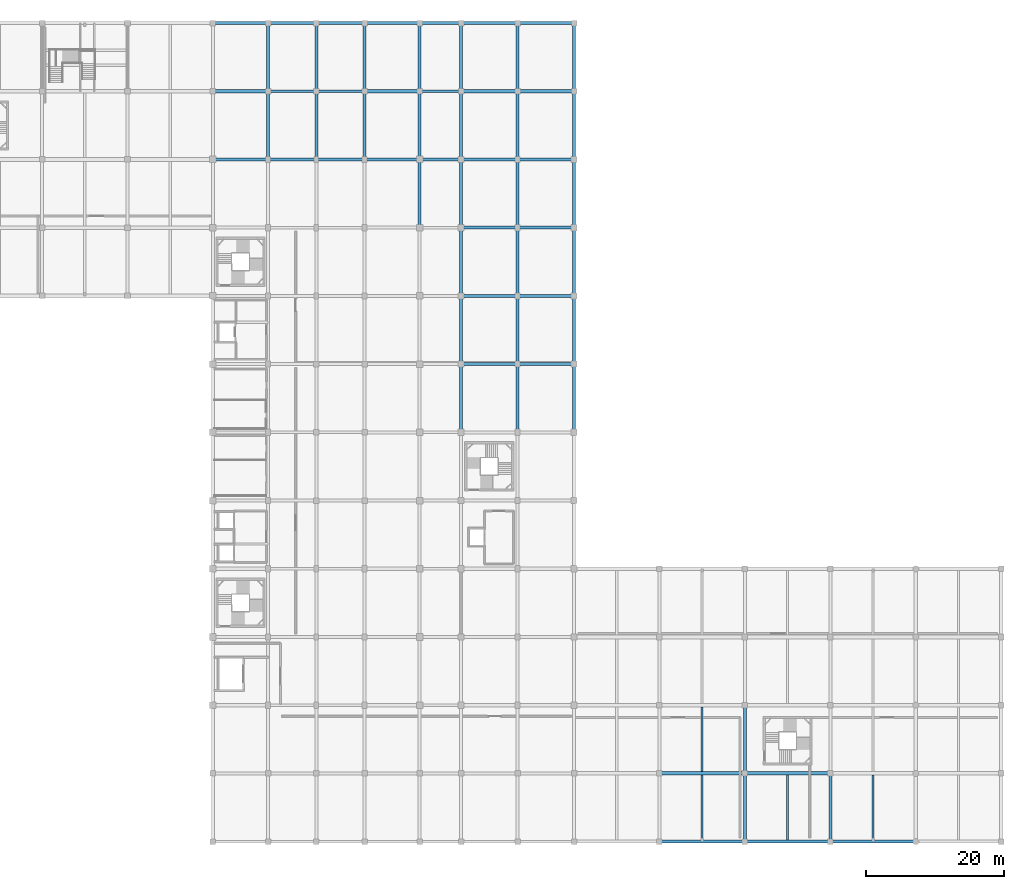
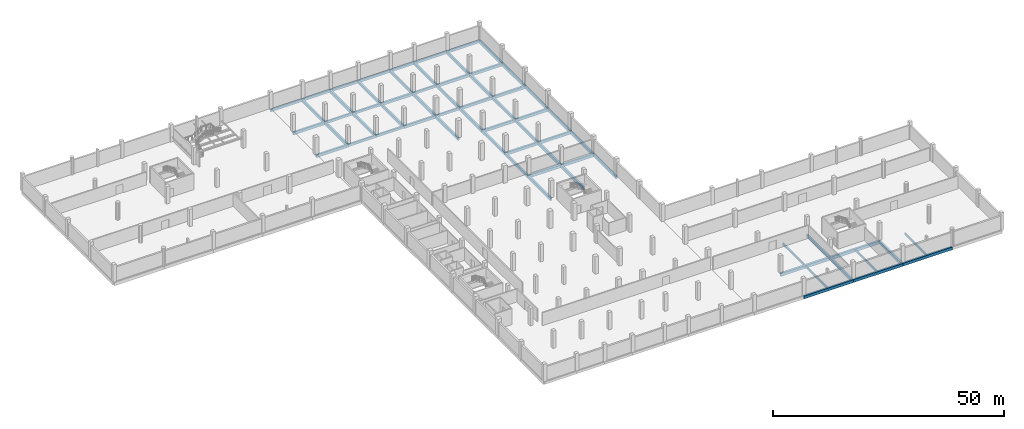
# One storey, part 6 of 32: 66 beams.
"""IFC4 building model written with IfcOpenShell, lengths in metres."""

from ifc_helpers import new_model, si_unit, direction, frame, origin, origin_2d, place, context, subcontext, project, spatial, rectangle, extrude, material, material_profile, profile_set, type_object, element, save


model = new_model("IFC4")

# Units and contexts
model_context = context("Model", 3, precision=1e-05, world=origin(), true_north=direction((0.0, 1.0)))
body_context = subcontext(model_context, "Body", "Model", "MODEL_VIEW")
ifc_project = project(units=[si_unit("LENGTHUNIT", "METRE"), si_unit("AREAUNIT", "SQUARE_METRE"), si_unit("VOLUMEUNIT", "CUBIC_METRE"), si_unit("PLANEANGLEUNIT", "RADIAN"), si_unit("MASSUNIT", "GRAM", prefix="KILO")], contexts=[model_context])

# Site, building, storey
site_placement = place(None, origin())
site = spatial("IfcSite", under=ifc_project, at=site_placement, CompositionType="ELEMENT")
building_placement = place(site_placement, origin())
building = spatial("IfcBuilding", under=site, at=building_placement, Name="Sillaruma Civic Art Gallery", CompositionType="ELEMENT")
storey_placement = place(building_placement, frame((0.0, 0.0, -4.590087890625)))
storey = spatial("IfcBuildingStorey", under=building, at=storey_placement, Name="B01", CompositionType="ELEMENT", Elevation=-4.590087890625)

# Beams
ifc_material_1 = material(Name="Concrete H35 (35 MPa)", Category="concrete")
ifc_material_profile_1 = material_profile(ifc_material_1, rectangle(XDim=0.39990234375, YDim=0.64990234375, at=origin_2d()), Name="RCB400x650")
ifc_profile_set_1 = profile_set([ifc_material_profile_1], Name="Concrete H35 (35 MPa)")
beam_type_1 = type_object("IfcBeamType", Name="BM-BEAM-RCB400x650", PredefinedType="BEAM", material=ifc_profile_set_1)
for number, where, z_axis, x_axis, name in (
    (1, (70.0, 99.0, -0.60498046875), (1.0, 0.0, 0.0), (0.0, 1.0, 0.0), "Beam BM-05 (B02:11:G-H)"),
    (2, (77.0, 99.0, -0.60498046875), (1.0, 0.0, 0.0), (0.0, 1.0, 0.0), "Beam BM-05 (B02:11:H-J)"),
):
    element("IfcBeam", number, at=place(storey_placement, frame(where, z_axis=z_axis, x_axis=x_axis)), inside=storey, type_object=beam_type_1, Name=name, PredefinedType="BEAM", context=body_context, shape_type="SweptSolid", body=[
        extrude(rectangle(XDim=0.39990234375, YDim=0.64990234375, at=origin_2d()), origin(), (0.0, 0.0, 1.0), 7.0),
    ])
beam_1_placement = place(storey_placement, frame((92.0, 99.0, -0.60498046875), z_axis=(1.0, 0.0, 0.0), x_axis=(0.0, 1.0, 0.0)))
element("IfcBeam", 3, at=beam_1_placement, inside=storey, type_object=beam_type_1, Name="Beam BM-05 (B02:11:K-L)", PredefinedType="BEAM", context=body_context, shape_type="SweptSolid", body=[
    extrude(rectangle(XDim=0.39990234375, YDim=0.64990234375, at=origin_2d()), origin(), (0.0, 0.0, 1.0), 6.0),
])
for number, where, z_axis, x_axis, name in (
    (4, (70.0, 108.89990234375, -0.60498046875), (1.0, 0.0, 0.0), (0.0, 1.0, 0.0), "Beam BM-05 (B02:12:G-H)"),
    (5, (77.0, 108.89990234375, -0.60498046875), (1.0, 0.0, 0.0), (0.0, 1.0, 0.0), "Beam BM-05 (B02:12:H-J)"),
):
    element("IfcBeam", number, at=place(storey_placement, frame(where, z_axis=z_axis, x_axis=x_axis)), inside=storey, type_object=beam_type_1, Name=name, PredefinedType="BEAM", context=body_context, shape_type="SweptSolid", body=[
        extrude(rectangle(XDim=0.39990234375, YDim=0.64990234375, at=origin_2d()), origin(), (0.0, 0.0, 1.0), 7.0),
    ])
beam_2_placement = place(storey_placement, frame((92.0, 108.89990234375, -0.60498046875), z_axis=(1.0, 0.0, 0.0), x_axis=(0.0, 1.0, 0.0)))
element("IfcBeam", 6, at=beam_2_placement, inside=storey, type_object=beam_type_1, Name="Beam BM-05 (B02:12:K-L)", PredefinedType="BEAM", context=body_context, shape_type="SweptSolid", body=[
    extrude(rectangle(XDim=0.39990234375, YDim=0.64990234375, at=origin_2d()), origin(), (0.0, 0.0, 1.0), 6.0),
])
ifc_material_2 = material(Name="Concrete H40 (40 MPa)", Category="concrete")
ifc_material_profile_2 = material_profile(ifc_material_2, rectangle(XDim=0.449951171875, YDim=0.75, at=origin_2d()), Name="RCB450x750")
ifc_profile_set_2 = profile_set([ifc_material_profile_2], Name="Concrete H40 (40 MPa)")
beam_type_2 = type_object("IfcBeamType", Name="BM-BEAM-RCB450x750", PredefinedType="BEAM", material=ifc_profile_set_2)
for number, where, z_axis, x_axis, name in (
    (7, (98.0, 69.300048828125, -0.655029296875), (1.0, 0.0, 0.0), (0.0, 1.0, 0.0), "Beam BM-03 (B02:8:L-M)"),
    (8, (106.199951171875, 69.300048828125, -0.655029296875), (1.0, 0.0, 0.0), (0.0, 1.0, 0.0), "Beam BM-03 (B02:8:M-N)"),
    (9, (98.0, 79.199951171875, -0.655029296875), (1.0, 0.0, 0.0), (0.0, 1.0, 0.0), "Beam BM-03 (B02:9:L-M)"),
    (10, (106.199951171875, 79.199951171875, -0.655029296875), (1.0, 0.0, 0.0), (0.0, 1.0, 0.0), "Beam BM-03 (B02:9:M-N)"),
    (11, (98.0, 89.10009765625, -0.655029296875), (1.0, 0.0, 0.0), (0.0, 1.0, 0.0), "Beam BM-03 (B02:10:L-M)"),
    (12, (106.199951171875, 89.10009765625, -0.655029296875), (1.0, 0.0, 0.0), (0.0, 1.0, 0.0), "Beam BM-03 (B02:10:M-N)"),
):
    element("IfcBeam", number, at=place(storey_placement, frame(where, z_axis=z_axis, x_axis=x_axis)), inside=storey, type_object=beam_type_2, Name=name, PredefinedType="BEAM", context=body_context, shape_type="SweptSolid", body=[
        extrude(rectangle(XDim=0.449951171875, YDim=0.75, at=origin_2d()), origin(), (0.0, 0.0, 1.0), 8.199951171875),
    ])
for number, where, z_axis, x_axis, name in (
    (13, (62.0, 99.0, -0.655029296875), (1.0, 0.0, 0.0), (0.0, 1.0, 0.0), "Beam BM-03 (B02:11:F-G)"),
    (14, (84.0, 99.0, -0.655029296875), (1.0, 0.0, 0.0), (0.0, 1.0, 0.0), "Beam BM-03 (B02:11:J-K)"),
):
    element("IfcBeam", number, at=place(storey_placement, frame(where, z_axis=z_axis, x_axis=x_axis)), inside=storey, type_object=beam_type_2, Name=name, PredefinedType="BEAM", context=body_context, shape_type="SweptSolid", body=[
        extrude(rectangle(XDim=0.449951171875, YDim=0.75, at=origin_2d()), origin(), (0.0, 0.0, 1.0), 8.0),
    ])
for number, where, z_axis, x_axis, name in (
    (15, (98.0, 99.0, -0.655029296875), (1.0, 0.0, 0.0), (0.0, 1.0, 0.0), "Beam BM-03 (B02:11:L-M)"),
    (16, (106.199951171875, 99.0, -0.655029296875), (1.0, 0.0, 0.0), (0.0, 1.0, 0.0), "Beam BM-03 (B02:11:M-N)"),
):
    element("IfcBeam", number, at=place(storey_placement, frame(where, z_axis=z_axis, x_axis=x_axis)), inside=storey, type_object=beam_type_2, Name=name, PredefinedType="BEAM", context=body_context, shape_type="SweptSolid", body=[
        extrude(rectangle(XDim=0.449951171875, YDim=0.75, at=origin_2d()), origin(), (0.0, 0.0, 1.0), 8.199951171875),
    ])
for number, where, z_axis, x_axis, name in (
    (17, (62.0, 108.89990234375, -0.655029296875), (1.0, 0.0, 0.0), (0.0, 1.0, 0.0), "Beam BM-03 (B02:12:F-G)"),
    (18, (84.0, 108.89990234375, -0.655029296875), (1.0, 0.0, 0.0), (0.0, 1.0, 0.0), "Beam BM-03 (B02:12:J-K)"),
):
    element("IfcBeam", number, at=place(storey_placement, frame(where, z_axis=z_axis, x_axis=x_axis)), inside=storey, type_object=beam_type_2, Name=name, PredefinedType="BEAM", context=body_context, shape_type="SweptSolid", body=[
        extrude(rectangle(XDim=0.449951171875, YDim=0.75, at=origin_2d()), origin(), (0.0, 0.0, 1.0), 8.0),
    ])
for number, where, z_axis, x_axis, name in (
    (19, (98.0, 108.89990234375, -0.655029296875), (1.0, 0.0, 0.0), (0.0, 1.0, 0.0), "Beam BM-03 (B02:12:L-M)"),
    (20, (106.199951171875, 108.89990234375, -0.655029296875), (1.0, 0.0, 0.0), (0.0, 1.0, 0.0), "Beam BM-03 (B02:12:M-N)"),
):
    element("IfcBeam", number, at=place(storey_placement, frame(where, z_axis=z_axis, x_axis=x_axis)), inside=storey, type_object=beam_type_2, Name=name, PredefinedType="BEAM", context=body_context, shape_type="SweptSolid", body=[
        extrude(rectangle(XDim=0.449951171875, YDim=0.75, at=origin_2d()), origin(), (0.0, 0.0, 1.0), 8.199951171875),
    ])
beam_3_placement = place(storey_placement, frame((70.0, 99.0, -0.655029296875), z_axis=(0.0, 1.0, 0.0), x_axis=(-1.0, 0.0, 0.0)))
element("IfcBeam", 21, at=beam_3_placement, inside=storey, type_object=beam_type_2, Name="Beam BM-03 (B02:G:11-12)", PredefinedType="BEAM", context=body_context, shape_type="SweptSolid", body=[
    extrude(rectangle(XDim=0.449951171875, YDim=0.75, at=origin_2d()), origin(), (0.0, 0.0, 1.0), 9.89990234375),
])
beam_4_placement = place(storey_placement, frame((70.0, 108.89990234375, -0.655029296875), z_axis=(0.0, 1.0, 0.0), x_axis=(-1.0, 0.0, 0.0)))
element("IfcBeam", 22, at=beam_4_placement, inside=storey, type_object=beam_type_2, Name="Beam BM-03 (B02:G:12-13)", PredefinedType="BEAM", context=body_context, shape_type="SweptSolid", body=[
    extrude(rectangle(XDim=0.449951171875, YDim=0.75, at=origin_2d()), origin(), (0.0, 0.0, 1.0), 9.900146484375),
])
beam_5_placement = place(storey_placement, frame((77.0, 99.0, -0.655029296875), z_axis=(0.0, 1.0, 0.0), x_axis=(-1.0, 0.0, 0.0)))
element("IfcBeam", 23, at=beam_5_placement, inside=storey, type_object=beam_type_2, Name="Beam BM-03 (B02:H:11-12)", PredefinedType="BEAM", context=body_context, shape_type="SweptSolid", body=[
    extrude(rectangle(XDim=0.449951171875, YDim=0.75, at=origin_2d()), origin(), (0.0, 0.0, 1.0), 9.89990234375),
])
beam_6_placement = place(storey_placement, frame((77.0, 108.89990234375, -0.655029296875), z_axis=(0.0, 1.0, 0.0), x_axis=(-1.0, 0.0, 0.0)))
element("IfcBeam", 24, at=beam_6_placement, inside=storey, type_object=beam_type_2, Name="Beam BM-03 (B02:H:12-13)", PredefinedType="BEAM", context=body_context, shape_type="SweptSolid", body=[
    extrude(rectangle(XDim=0.449951171875, YDim=0.75, at=origin_2d()), origin(), (0.0, 0.0, 1.0), 9.900146484375),
])
beam_7_placement = place(storey_placement, frame((84.0, 99.0, -0.655029296875), z_axis=(0.0, 1.0, 0.0), x_axis=(-1.0, 0.0, 0.0)))
element("IfcBeam", 25, at=beam_7_placement, inside=storey, type_object=beam_type_2, Name="Beam BM-03 (B02:J:11-12)", PredefinedType="BEAM", context=body_context, shape_type="SweptSolid", body=[
    extrude(rectangle(XDim=0.449951171875, YDim=0.75, at=origin_2d()), origin(), (0.0, 0.0, 1.0), 9.89990234375),
])
beam_8_placement = place(storey_placement, frame((84.0, 108.89990234375, -0.655029296875), z_axis=(0.0, 1.0, 0.0), x_axis=(-1.0, 0.0, 0.0)))
element("IfcBeam", 26, at=beam_8_placement, inside=storey, type_object=beam_type_2, Name="Beam BM-03 (B02:J:12-13)", PredefinedType="BEAM", context=body_context, shape_type="SweptSolid", body=[
    extrude(rectangle(XDim=0.449951171875, YDim=0.75, at=origin_2d()), origin(), (0.0, 0.0, 1.0), 9.900146484375),
])
for number, where, z_axis, x_axis, name in (
    (27, (92.0, 89.10009765625, -0.655029296875), (0.0, 1.0, 0.0), (-1.0, 0.0, 0.0), "Beam BM-03 (B02:K:10-11)"),
    (28, (92.0, 99.0, -0.655029296875), (0.0, 1.0, 0.0), (-1.0, 0.0, 0.0), "Beam BM-03 (B02:K:11-12)"),
):
    element("IfcBeam", number, at=place(storey_placement, frame(where, z_axis=z_axis, x_axis=x_axis)), inside=storey, type_object=beam_type_2, Name=name, PredefinedType="BEAM", context=body_context, shape_type="SweptSolid", body=[
        extrude(rectangle(XDim=0.449951171875, YDim=0.75, at=origin_2d()), origin(), (0.0, 0.0, 1.0), 9.89990234375),
    ])
for number, where, z_axis, x_axis, name in (
    (29, (92.0, 108.89990234375, -0.655029296875), (0.0, 1.0, 0.0), (-1.0, 0.0, 0.0), "Beam BM-03 (B02:K:12-13)"),
    (30, (98.0, 59.39990234375, -0.655029296875), (0.0, 1.0, 0.0), (-1.0, 0.0, 0.0), "Beam BM-03 (B02:L:7-8)"),
):
    element("IfcBeam", number, at=place(storey_placement, frame(where, z_axis=z_axis, x_axis=x_axis)), inside=storey, type_object=beam_type_2, Name=name, PredefinedType="BEAM", context=body_context, shape_type="SweptSolid", body=[
        extrude(rectangle(XDim=0.449951171875, YDim=0.75, at=origin_2d()), origin(), (0.0, 0.0, 1.0), 9.900146484375),
    ])
beam_9_placement = place(storey_placement, frame((98.0, 69.300048828125, -0.655029296875), z_axis=(0.0, 1.0, 0.0), x_axis=(-1.0, 0.0, 0.0)))
element("IfcBeam", 31, at=beam_9_placement, inside=storey, type_object=beam_type_2, Name="Beam BM-03 (B02:L:8-9)", PredefinedType="BEAM", context=body_context, shape_type="SweptSolid", body=[
    extrude(rectangle(XDim=0.449951171875, YDim=0.75, at=origin_2d()), origin(), (0.0, 0.0, 1.0), 9.89990234375),
])
beam_10_placement = place(storey_placement, frame((98.0, 79.199951171875, -0.655029296875), z_axis=(0.0, 1.0, 0.0), x_axis=(-1.0, 0.0, 0.0)))
element("IfcBeam", 32, at=beam_10_placement, inside=storey, type_object=beam_type_2, Name="Beam BM-03 (B02:L:9-10)", PredefinedType="BEAM", context=body_context, shape_type="SweptSolid", body=[
    extrude(rectangle(XDim=0.449951171875, YDim=0.75, at=origin_2d()), origin(), (0.0, 0.0, 1.0), 9.900146484375),
])
for number, where, z_axis, x_axis, name in (
    (33, (98.0, 89.10009765625, -0.655029296875), (0.0, 1.0, 0.0), (-1.0, 0.0, 0.0), "Beam BM-03 (B02:L:10-11)"),
    (34, (98.0, 99.0, -0.655029296875), (0.0, 1.0, 0.0), (-1.0, 0.0, 0.0), "Beam BM-03 (B02:L:11-12)"),
):
    element("IfcBeam", number, at=place(storey_placement, frame(where, z_axis=z_axis, x_axis=x_axis)), inside=storey, type_object=beam_type_2, Name=name, PredefinedType="BEAM", context=body_context, shape_type="SweptSolid", body=[
        extrude(rectangle(XDim=0.449951171875, YDim=0.75, at=origin_2d()), origin(), (0.0, 0.0, 1.0), 9.89990234375),
    ])
for number, where, z_axis, x_axis, name in (
    (35, (98.0, 108.89990234375, -0.655029296875), (0.0, 1.0, 0.0), (-1.0, 0.0, 0.0), "Beam BM-03 (B02:L:12-13)"),
    (36, (106.199951171875, 59.39990234375, -0.655029296875), (0.0, 1.0, 0.0), (-1.0, 0.0, 0.0), "Beam BM-03 (B02:M:7-8)"),
):
    element("IfcBeam", number, at=place(storey_placement, frame(where, z_axis=z_axis, x_axis=x_axis)), inside=storey, type_object=beam_type_2, Name=name, PredefinedType="BEAM", context=body_context, shape_type="SweptSolid", body=[
        extrude(rectangle(XDim=0.449951171875, YDim=0.75, at=origin_2d()), origin(), (0.0, 0.0, 1.0), 9.900146484375),
    ])
beam_11_placement = place(storey_placement, frame((106.199951171875, 69.300048828125, -0.655029296875), z_axis=(0.0, 1.0, 0.0), x_axis=(-1.0, 0.0, 0.0)))
element("IfcBeam", 37, at=beam_11_placement, inside=storey, type_object=beam_type_2, Name="Beam BM-03 (B02:M:8-9)", PredefinedType="BEAM", context=body_context, shape_type="SweptSolid", body=[
    extrude(rectangle(XDim=0.449951171875, YDim=0.75, at=origin_2d()), origin(), (0.0, 0.0, 1.0), 9.89990234375),
])
beam_12_placement = place(storey_placement, frame((106.199951171875, 79.199951171875, -0.655029296875), z_axis=(0.0, 1.0, 0.0), x_axis=(-1.0, 0.0, 0.0)))
element("IfcBeam", 38, at=beam_12_placement, inside=storey, type_object=beam_type_2, Name="Beam BM-03 (B02:M:9-10)", PredefinedType="BEAM", context=body_context, shape_type="SweptSolid", body=[
    extrude(rectangle(XDim=0.449951171875, YDim=0.75, at=origin_2d()), origin(), (0.0, 0.0, 1.0), 9.900146484375),
])
for number, where, z_axis, x_axis, name in (
    (39, (106.199951171875, 89.10009765625, -0.655029296875), (0.0, 1.0, 0.0), (-1.0, 0.0, 0.0), "Beam BM-03 (B02:M:10-11)"),
    (40, (106.199951171875, 99.0, -0.655029296875), (0.0, 1.0, 0.0), (-1.0, 0.0, 0.0), "Beam BM-03 (B02:M:11-12)"),
):
    element("IfcBeam", number, at=place(storey_placement, frame(where, z_axis=z_axis, x_axis=x_axis)), inside=storey, type_object=beam_type_2, Name=name, PredefinedType="BEAM", context=body_context, shape_type="SweptSolid", body=[
        extrude(rectangle(XDim=0.449951171875, YDim=0.75, at=origin_2d()), origin(), (0.0, 0.0, 1.0), 9.89990234375),
    ])
for number, where, z_axis, x_axis, name in (
    (41, (106.199951171875, 108.89990234375, -0.655029296875), (0.0, 1.0, 0.0), (-1.0, 0.0, 0.0), "Beam BM-03 (B02:M:12-13)"),
    (42, (114.39990234375, 59.39990234375, -0.655029296875), (0.0, 1.0, 0.0), (-1.0, 0.0, 0.0), "Beam BM-03 (B02:N:7-8)"),
):
    element("IfcBeam", number, at=place(storey_placement, frame(where, z_axis=z_axis, x_axis=x_axis)), inside=storey, type_object=beam_type_2, Name=name, PredefinedType="BEAM", context=body_context, shape_type="SweptSolid", body=[
        extrude(rectangle(XDim=0.449951171875, YDim=0.75, at=origin_2d()), origin(), (0.0, 0.0, 1.0), 9.900146484375),
    ])
beam_13_placement = place(storey_placement, frame((114.39990234375, 69.300048828125, -0.655029296875), z_axis=(0.0, 1.0, 0.0), x_axis=(-1.0, 0.0, 0.0)))
element("IfcBeam", 43, at=beam_13_placement, inside=storey, type_object=beam_type_2, Name="Beam BM-03 (B02:N:8-9)", PredefinedType="BEAM", context=body_context, shape_type="SweptSolid", body=[
    extrude(rectangle(XDim=0.449951171875, YDim=0.75, at=origin_2d()), origin(), (0.0, 0.0, 1.0), 9.89990234375),
])
beam_14_placement = place(storey_placement, frame((114.39990234375, 79.199951171875, -0.655029296875), z_axis=(0.0, 1.0, 0.0), x_axis=(-1.0, 0.0, 0.0)))
element("IfcBeam", 44, at=beam_14_placement, inside=storey, type_object=beam_type_2, Name="Beam BM-03 (B02:N:9-10)", PredefinedType="BEAM", context=body_context, shape_type="SweptSolid", body=[
    extrude(rectangle(XDim=0.449951171875, YDim=0.75, at=origin_2d()), origin(), (0.0, 0.0, 1.0), 9.900146484375),
])
for number, where, z_axis, x_axis, name in (
    (45, (114.39990234375, 89.10009765625, -0.655029296875), (0.0, 1.0, 0.0), (-1.0, 0.0, 0.0), "Beam BM-03 (B02:N:10-11)"),
    (46, (114.39990234375, 99.0, -0.655029296875), (0.0, 1.0, 0.0), (-1.0, 0.0, 0.0), "Beam BM-03 (B02:N:11-12)"),
):
    element("IfcBeam", number, at=place(storey_placement, frame(where, z_axis=z_axis, x_axis=x_axis)), inside=storey, type_object=beam_type_2, Name=name, PredefinedType="BEAM", context=body_context, shape_type="SweptSolid", body=[
        extrude(rectangle(XDim=0.449951171875, YDim=0.75, at=origin_2d()), origin(), (0.0, 0.0, 1.0), 9.89990234375),
    ])
beam_15_placement = place(storey_placement, frame((114.39990234375, 108.89990234375, -0.655029296875), z_axis=(0.0, 1.0, 0.0), x_axis=(-1.0, 0.0, 0.0)))
element("IfcBeam", 47, at=beam_15_placement, inside=storey, type_object=beam_type_2, Name="Beam BM-03 (B02:N:12-13)", PredefinedType="BEAM", context=body_context, shape_type="SweptSolid", body=[
    extrude(rectangle(XDim=0.449951171875, YDim=0.75, at=origin_2d()), origin(), (0.0, 0.0, 1.0), 9.900146484375),
])
beam_16_placement = place(storey_placement, frame((139.199951171875, 0.0, -0.655029296875), z_axis=(0.0, 1.0, 0.0), x_axis=(-1.0, 0.0, 0.0)))
element("IfcBeam", 48, at=beam_16_placement, inside=storey, type_object=beam_type_2, Name="Beam BM-03 (B02:Q:1-2)", PredefinedType="BEAM", context=body_context, shape_type="SweptSolid", body=[
    extrude(rectangle(XDim=0.449951171875, YDim=0.75, at=origin_2d()), origin(), (0.0, 0.0, 1.0), 9.89990234375),
])
beam_17_placement = place(storey_placement, frame((139.199951171875, 9.89990234375, -0.655029296875), z_axis=(0.0, 1.0, 0.0), x_axis=(-1.0, 0.0, 0.0)))
element("IfcBeam", 49, at=beam_17_placement, inside=storey, type_object=beam_type_2, Name="Beam BM-03 (B02:Q:2-3)", PredefinedType="BEAM", context=body_context, shape_type="SweptSolid", body=[
    extrude(rectangle(XDim=0.449951171875, YDim=0.75, at=origin_2d()), origin(), (0.0, 0.0, 1.0), 9.900146484375),
])
beam_18_placement = place(storey_placement, frame((151.60009765625, 0.0, -0.655029296875), z_axis=(0.0, 1.0, 0.0), x_axis=(-1.0, 0.0, 0.0)))
element("IfcBeam", 50, at=beam_18_placement, inside=storey, type_object=beam_type_2, Name="Beam BM-03 (B02:R:1-2)", PredefinedType="BEAM", context=body_context, shape_type="SweptSolid", body=[
    extrude(rectangle(XDim=0.449951171875, YDim=0.75, at=origin_2d()), origin(), (0.0, 0.0, 1.0), 9.89990234375),
])
ifc_material_profile_3 = material_profile(ifc_material_1, rectangle(XDim=0.300048828125, YDim=0.52001953125, at=origin_2d()), Name="RCB300x520")
ifc_profile_set_3 = profile_set([ifc_material_profile_3], Name="Concrete H35 (35 MPa)")
beam_type_3 = type_object("IfcBeamType", Name="BM-JOIST-RCB300x520", PredefinedType="JOIST", material=ifc_profile_set_3)
for number, where, z_axis, x_axis, name in (
    (51, (133.0, 0.22509765625, -0.539794921875), (0.0, 1.0, 0.0), (-1.0, 0.0, 0.0), "Floor Joist JR-01 (B02:PQ:1-2)"),
    (52, (145.39990234375, 0.22509765625, -0.539794921875), (0.0, 1.0, 0.0), (-1.0, 0.0, 0.0), "Floor Joist JR-01 (B02:QR:1-2)"),
    (53, (157.800048828125, 0.22509765625, -0.539794921875), (0.0, 1.0, 0.0), (-1.0, 0.0, 0.0), "Floor Joist JR-01 (B02:RS:1-2)"),
):
    element("IfcBeam", number, at=place(storey_placement, frame(where, z_axis=z_axis, x_axis=x_axis)), inside=storey, type_object=beam_type_3, Name=name, PredefinedType="JOIST", context=body_context, shape_type="SweptSolid", body=[
        extrude(rectangle(XDim=0.300048828125, YDim=0.52001953125, at=origin_2d()), origin(), (0.0, 0.0, 1.0), 9.414794921875),
    ])
beam_19_placement = place(storey_placement, frame((133.0, 10.159912109375, -0.539794921875), z_axis=(0.0, 1.0, 0.0), x_axis=(-1.0, 0.0, 0.0)))
element("IfcBeam", 54, at=beam_19_placement, inside=storey, type_object=beam_type_3, Name="Floor Joist JR-01 (B02:PQ:2-3)", PredefinedType="JOIST", context=body_context, shape_type="SweptSolid", body=[
    extrude(rectangle(XDim=0.300048828125, YDim=0.52001953125, at=origin_2d()), origin(), (0.0, 0.0, 1.0), 9.380126953125),
])
ifc_material_profile_4 = material_profile(ifc_material_1, rectangle(XDim=0.39990234375, YDim=0.64990234375, at=origin_2d()), Name="RCB400x650")
ifc_profile_set_4 = profile_set([ifc_material_profile_4], Name="Concrete H35 (35 MPa)")
beam_type_4 = type_object("IfcBeamType", Name="BM-SPANDREL-RCB400x650", PredefinedType="SPANDREL", material=ifc_profile_set_4)
beam_20_placement = place(storey_placement, frame((62.0, 118.800048828125, -0.60498046875), z_axis=(1.0, 0.0, 0.0), x_axis=(0.0, 1.0, 0.0)))
element("IfcBeam", 55, at=beam_20_placement, inside=storey, type_object=beam_type_4, Name="Beam BS-02 (B02:13:F-G)", PredefinedType="SPANDREL", context=body_context, shape_type="SweptSolid", body=[
    extrude(rectangle(XDim=0.39990234375, YDim=0.64990234375, at=origin_2d()), origin(), (0.0, 0.0, 1.0), 8.0),
])
for number, where, z_axis, x_axis, name in (
    (56, (70.0, 118.800048828125, -0.60498046875), (1.0, 0.0, 0.0), (0.0, 1.0, 0.0), "Beam BS-02 (B02:13:G-H)"),
    (57, (77.0, 118.800048828125, -0.60498046875), (1.0, 0.0, 0.0), (0.0, 1.0, 0.0), "Beam BS-02 (B02:13:H-J)"),
):
    element("IfcBeam", number, at=place(storey_placement, frame(where, z_axis=z_axis, x_axis=x_axis)), inside=storey, type_object=beam_type_4, Name=name, PredefinedType="SPANDREL", context=body_context, shape_type="SweptSolid", body=[
        extrude(rectangle(XDim=0.39990234375, YDim=0.64990234375, at=origin_2d()), origin(), (0.0, 0.0, 1.0), 7.0),
    ])
beam_21_placement = place(storey_placement, frame((84.0, 118.800048828125, -0.60498046875), z_axis=(1.0, 0.0, 0.0), x_axis=(0.0, 1.0, 0.0)))
element("IfcBeam", 58, at=beam_21_placement, inside=storey, type_object=beam_type_4, Name="Beam BS-02 (B02:13:J-K)", PredefinedType="SPANDREL", context=body_context, shape_type="SweptSolid", body=[
    extrude(rectangle(XDim=0.39990234375, YDim=0.64990234375, at=origin_2d()), origin(), (0.0, 0.0, 1.0), 8.0),
])
beam_22_placement = place(storey_placement, frame((92.0, 118.800048828125, -0.60498046875), z_axis=(1.0, 0.0, 0.0), x_axis=(0.0, 1.0, 0.0)))
element("IfcBeam", 59, at=beam_22_placement, inside=storey, type_object=beam_type_4, Name="Beam BS-02 (B02:13:K-L)", PredefinedType="SPANDREL", context=body_context, shape_type="SweptSolid", body=[
    extrude(rectangle(XDim=0.39990234375, YDim=0.64990234375, at=origin_2d()), origin(), (0.0, 0.0, 1.0), 6.0),
])
for number, where, z_axis, x_axis, name in (
    (60, (98.0, 118.800048828125, -0.60498046875), (1.0, 0.0, 0.0), (0.0, 1.0, 0.0), "Beam BS-02 (B02:13:L-M)"),
    (61, (106.199951171875, 118.800048828125, -0.60498046875), (1.0, 0.0, 0.0), (0.0, 1.0, 0.0), "Beam BS-02 (B02:13:M-N)"),
):
    element("IfcBeam", number, at=place(storey_placement, frame(where, z_axis=z_axis, x_axis=x_axis)), inside=storey, type_object=beam_type_4, Name=name, PredefinedType="SPANDREL", context=body_context, shape_type="SweptSolid", body=[
        extrude(rectangle(XDim=0.39990234375, YDim=0.64990234375, at=origin_2d()), origin(), (0.0, 0.0, 1.0), 8.199951171875),
    ])
ifc_material_profile_5 = material_profile(ifc_material_2, rectangle(XDim=0.449951171875, YDim=0.75, at=origin_2d()), Name="RCB450x750")
ifc_profile_set_5 = profile_set([ifc_material_profile_5], Name="Concrete H40 (40 MPa)")
beam_type_5 = type_object("IfcBeamType", Name="BM-SPANDREL-RCB450x750", PredefinedType="SPANDREL", material=ifc_profile_set_5)
beam_23_placement = place(storey_placement, frame((126.800048828125, 0.0, -0.655029296875), z_axis=(1.0, 0.0, 0.0), x_axis=(0.0, 1.0, 0.0)))
element("IfcBeam", 62, at=beam_23_placement, inside=storey, type_object=beam_type_5, Name="Beam BS-01 (B02:1:P-Q)", PredefinedType="SPANDREL", context=body_context, shape_type="SweptSolid", body=[
    extrude(rectangle(XDim=0.449951171875, YDim=0.75, at=origin_2d()), origin(), (0.0, 0.0, 1.0), 12.39990234375),
])
beam_24_placement = place(storey_placement, frame((139.199951171875, 0.0, -0.655029296875), z_axis=(1.0, 0.0, 0.0), x_axis=(0.0, 1.0, 0.0)))
element("IfcBeam", 63, at=beam_24_placement, inside=storey, type_object=beam_type_5, Name="Beam BS-01 (B02:1:Q-R)", PredefinedType="SPANDREL", context=body_context, shape_type="SweptSolid", body=[
    extrude(rectangle(XDim=0.449951171875, YDim=0.75, at=origin_2d()), origin(), (0.0, 0.0, 1.0), 12.400146484375),
])
beam_25_placement = place(storey_placement, frame((151.60009765625, 0.0, -0.655029296875), z_axis=(1.0, 0.0, 0.0), x_axis=(0.0, 1.0, 0.0)))
element("IfcBeam", 64, at=beam_25_placement, inside=storey, type_object=beam_type_5, Name="Beam BS-01 (B02:1:R-S)", PredefinedType="SPANDREL", context=body_context, shape_type="SweptSolid", body=[
    extrude(rectangle(XDim=0.449951171875, YDim=0.75, at=origin_2d()), origin(), (0.0, 0.0, 1.0), 12.39990234375),
])
ifc_material_profile_6 = material_profile(ifc_material_2, rectangle(XDim=0.52001953125, YDim=0.780029296875, at=origin_2d()), Name="RCT520x780")
ifc_profile_set_6 = profile_set([ifc_material_profile_6], Name="Concrete H40 (40 MPa)")
beam_type_6 = type_object("IfcBeamType", Name="BM-T_BEAM-RCT520x780", PredefinedType="T_BEAM", material=ifc_profile_set_6)
beam_26_placement = place(storey_placement, frame((126.800048828125, 9.89990234375, -0.669921875), z_axis=(1.0, 0.0, 0.0), x_axis=(0.0, 1.0, 0.0)))
element("IfcBeam", 65, at=beam_26_placement, inside=storey, type_object=beam_type_6, Name="Beam BT-01 (B02:2:P-Q)", PredefinedType="T_BEAM", context=body_context, shape_type="SweptSolid", body=[
    extrude(rectangle(XDim=0.52001953125, YDim=0.780029296875, at=origin_2d()), origin(), (0.0, 0.0, 1.0), 12.39990234375),
])
beam_27_placement = place(storey_placement, frame((139.199951171875, 9.89990234375, -0.669921875), z_axis=(1.0, 0.0, 0.0), x_axis=(0.0, 1.0, 0.0)))
element("IfcBeam", 66, at=beam_27_placement, inside=storey, type_object=beam_type_6, Name="Beam BT-01 (B02:2:Q-R)", PredefinedType="T_BEAM", context=body_context, shape_type="SweptSolid", body=[
    extrude(rectangle(XDim=0.52001953125, YDim=0.780029296875, at=origin_2d()), origin(), (0.0, 0.0, 1.0), 12.400146484375),
])

save(model, "model.ifc")
